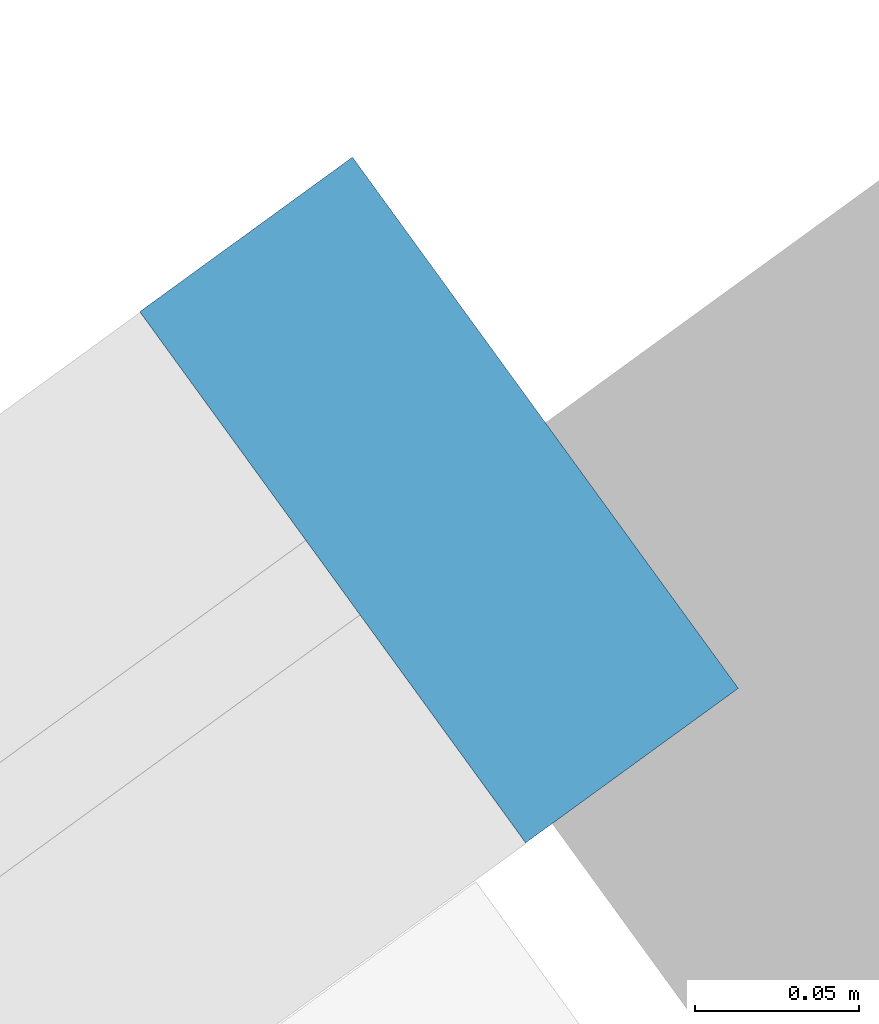
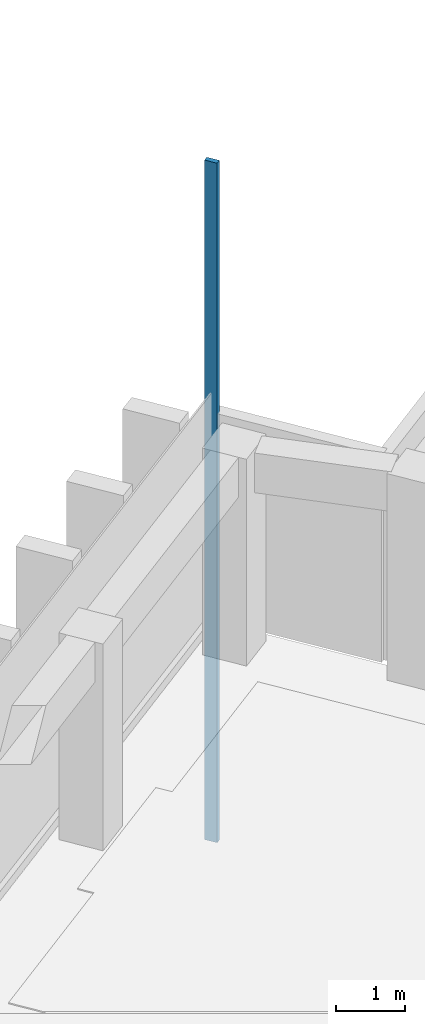
# One storey, part 5 of 14: 1 member, 1 element without a shape of its own.
"""IFC4 building model written with IfcOpenShell, lengths in metres."""

import ifcopenshell
import ifcopenshell.guid

model = None  # the IFC model being written
_history = None  # IfcOwnerHistory: only IFC2X3 demands one
_inside = {}  # id of a spatial element -> (the spatial element, [elements in it])
_under = {}  # id of a project, library or spatial element -> (it, [spatial elements below it])
_declared = {}  # id of a project -> (the project, [libraries it declares])
_typed = {}  # id of a type object -> (the type object, [elements of that type])
_made_of = {}  # id of a material, layer set ... -> (it, [elements and type objects made of it])


def new_model(schema):
    """Start an empty IFC model of exactly this schema.

    Asked for "IFC4X3", IfcOpenShell would pick the latest addendum, in which some entities
    have other attributes; the version numbers below select the first issue.
    IFC2X3 requires an IfcOwnerHistory on every rooted entity: one is made here for all.
    """
    global model, _history
    if schema == "IFC4X3":
        model = ifcopenshell.file(schema_version=(4, 3, 0, 0))
    else:
        model = ifcopenshell.file(schema=schema)
    _inside.clear()
    _under.clear()
    _declared.clear()
    _typed.clear()
    _made_of.clear()
    _history = None
    if model.schema == "IFC2X3":
        org = make("IfcOrganization", Name="unknown")
        user = make(
            "IfcPersonAndOrganization",
            ThePerson=make("IfcPerson", FamilyName="unknown"),
            TheOrganization=org,
        )
        app = make(
            "IfcApplication",
            ApplicationDeveloper=org,
            Version="unknown",
            ApplicationFullName="unknown",
            ApplicationIdentifier="unknown",
        )
        _history = make(
            "IfcOwnerHistory",
            OwningUser=user,
            OwningApplication=app,
            ChangeAction="ADDED",
            CreationDate=0,
        )
    return model


def make(cls, **values):
    """One entity of the class cls with the attributes given. An attribute that is None is left unset."""
    return model.create_entity(
        cls, **{name: value for name, value in values.items() if value is not None}
    )


def rooted(cls, **values):
    """An entity with a GlobalId (a new one), such as an element, a storey or a relation."""
    return make(cls, GlobalId=ifcopenshell.guid.new(), OwnerHistory=_history, **values)


def si_unit(unit_type, name, prefix=None):
    """IfcSIUnit, for example si_unit("LENGTHUNIT", "METRE", prefix="MILLI")."""
    return make("IfcSIUnit", UnitType=unit_type, Prefix=prefix, Name=name)


def assignment(units):
    """IfcUnitAssignment: the units of a project."""
    return None if units is None else make("IfcUnitAssignment", Units=units)


def point(xyz):
    """IfcCartesianPoint."""
    return None if xyz is None else make("IfcCartesianPoint", Coordinates=xyz)


def direction(xyz):
    """IfcDirection."""
    return None if xyz is None else make("IfcDirection", DirectionRatios=xyz)


def frame(location, z_axis=None, x_axis=None):
    """IfcAxis2Placement3D, a coordinate frame: its origin and axes. An axis left out is left unset."""
    return make(
        "IfcAxis2Placement3D",
        Location=point(location),
        Axis=direction(z_axis),
        RefDirection=direction(x_axis),
    )


def frame_2d(location, x_axis=None):
    """IfcAxis2Placement2D, a coordinate frame in the plane: its origin and x axis."""
    return make(
        "IfcAxis2Placement2D", Location=point(location), RefDirection=direction(x_axis)
    )


def origin():
    """The frame at (0, 0, 0) with its axes left unset."""
    return frame((0.0, 0.0, 0.0))


def origin_2d():
    """The frame at (0, 0) in the plane with its x axis left unset."""
    return frame_2d((0.0, 0.0))


def place(relative_to, where):
    """IfcLocalPlacement: puts the frame where relative to a parent placement (None: the world)."""
    return make(
        "IfcLocalPlacement", PlacementRelTo=relative_to, RelativePlacement=where
    )


def context(
    kind, dimensions, precision=None, world=None, true_north=None, identifier=None
):
    """IfcGeometricRepresentationContext, for example the 3D "Model" context."""
    return make(
        "IfcGeometricRepresentationContext",
        ContextIdentifier=identifier,
        ContextType=kind,
        CoordinateSpaceDimension=dimensions,
        Precision=precision,
        WorldCoordinateSystem=world,
        TrueNorth=true_north,
    )


def subcontext(parent, identifier, kind, view, scale=None):
    """IfcGeometricRepresentationSubContext, for example "Body" below "Model"."""
    return make(
        "IfcGeometricRepresentationSubContext",
        ContextIdentifier=identifier,
        ContextType=kind,
        ParentContext=parent,
        TargetScale=scale,
        TargetView=view,
    )


def project(units=None, contexts=None):
    """IfcProject with its units and contexts."""
    return rooted(
        "IfcProject",
        Name="project",
        RepresentationContexts=contexts,
        UnitsInContext=assignment(units),
    )


def spatial(cls, under=None, at=None, **own):
    """A site, building, storey or space (cls), placed at a placement, below another one or the project."""
    s = rooted(cls, ObjectPlacement=at, **own)
    if under is not None:
        _under.setdefault(under.id(), (under, []))[1].append(s)
    return s


def profile(cls, at=None, kind="AREA", **sizes):
    """A parametric profile (cls). Its sizes go by their IFC names, for example OverallWidth=200.0."""
    return make(cls, ProfileType=kind, Position=at, **sizes)


def rectangle(**sizes):
    """IfcRectangleProfileDef."""
    return profile("IfcRectangleProfileDef", **sizes)


def extrude(swept, where, along, depth):
    """IfcExtrudedAreaSolid: the profile swept, set in the frame where, extruded along a direction by depth."""
    return make(
        "IfcExtrudedAreaSolid",
        SweptArea=swept,
        Position=where,
        ExtrudedDirection=direction(along),
        Depth=depth,
    )


def shape(context_of_items, identifier, shape_type, items):
    """IfcShapeRepresentation: the items that make up one representation, for example the "Body"."""
    return make(
        "IfcShapeRepresentation",
        ContextOfItems=context_of_items,
        RepresentationIdentifier=identifier,
        RepresentationType=shape_type,
        Items=items,
    )


def material(Name=None, Category=None):
    """IfcMaterial."""
    return make("IfcMaterial", Name=Name, Category=Category)


def material_profile(
    of_material, cross_section, Name=None, Category=None, Priority=None
):
    """IfcMaterialProfile: a cross section and its material."""
    return make(
        "IfcMaterialProfile",
        Name=Name,
        Material=of_material,
        Profile=cross_section,
        Priority=Priority,
        Category=Category,
    )


def profile_set(profiles, Name=None, composite=None):
    """IfcMaterialProfileSet."""
    return make(
        "IfcMaterialProfileSet",
        Name=Name,
        MaterialProfiles=profiles,
        CompositeProfile=composite,
    )


def made_of(thing, what):
    """Note that an element or type object is made of a material, layer set ...; save() writes the relation."""
    if what is not None:
        _made_of.setdefault(what.id(), (what, []))[1].append(thing)
    return thing


def type_object(cls, material=None, **own):
    """A type object (cls), such as IfcWallType, which elements share."""
    return made_of(rooted(cls, **own), material)


def element(
    cls,
    number,
    at=None,
    inside=None,
    cuts=None,
    type_object=None,
    material=None,
    context=None,
    identifier="Body",
    shape_type=None,
    held_by="IfcProductDefinitionShape",
    body=None,
    shapes=None,
    **own,
):
    """One element of the class cls, such as IfcWall. Its Tag is "e" and its number.

    at: its placement. inside: the storey or other place that contains it. cuts: it is an
    opening in that element (IfcRelVoidsElement). A single representation is given by context,
    identifier, shape_type and body (its items); several are given by shapes. held_by: the class
    of the entity that holds the representations. save() writes the other relations.
    """
    e = rooted(cls, Tag="e%d" % number, ObjectPlacement=at, **own)
    if body is not None:
        shapes = [shape(context, identifier, shape_type, body)]
    if shapes is not None:
        e.Representation = make(held_by, Representations=shapes)
    if inside is not None:
        _inside.setdefault(inside.id(), (inside, []))[1].append(e)
    if cuts is not None:
        rooted(
            "IfcRelVoidsElement", RelatingBuildingElement=cuts, RelatedOpeningElement=e
        )
    if type_object is not None:
        _typed.setdefault(type_object.id(), (type_object, []))[1].append(e)
    return made_of(e, material)


def aggregate(whole, parts):
    """IfcRelAggregates: a whole, such as a stair, and the parts it consists of."""
    return rooted("IfcRelAggregates", RelatingObject=whole, RelatedObjects=parts)


def save(model, path):
    """Write the relations noted so far, then the file.

    IfcRelAggregates (storeys below a building ...), IfcRelContainedInSpatialStructure (elements
    in a storey), IfcRelDefinesByType, IfcRelAssociatesMaterial and IfcRelDeclares: one each for
    every whole, place, type object, material and project.
    """
    for whole, parts in _under.values():
        aggregate(whole, parts)
    for where, things in _inside.values():
        rooted(
            "IfcRelContainedInSpatialStructure",
            RelatedElements=things,
            RelatingStructure=where,
        )
    for kind, things in _typed.values():
        rooted("IfcRelDefinesByType", RelatedObjects=things, RelatingType=kind)
    for what, things in _made_of.values():
        rooted("IfcRelAssociatesMaterial", RelatedObjects=things, RelatingMaterial=what)
    for by, libraries in _declared.values():
        rooted("IfcRelDeclares", RelatingContext=by, RelatedDefinitions=libraries)
    model.write(path)


model = new_model("IFC4")

# Units and contexts
model_context = context("Model", 3, precision=1e-05, world=origin(), true_north=direction((0.0, 1.0)))
body_context = subcontext(model_context, "Body", "Model", "MODEL_VIEW")
ifc_project = project(units=[si_unit("LENGTHUNIT", "METRE"), si_unit("AREAUNIT", "SQUARE_METRE"), si_unit("VOLUMEUNIT", "CUBIC_METRE"), si_unit("PLANEANGLEUNIT", "RADIAN"), si_unit("MASSUNIT", "GRAM", prefix="KILO")], contexts=[model_context])

# Site, building, storey
site_placement = place(None, origin())
site = spatial("IfcSite", under=ifc_project, at=site_placement, CompositionType="ELEMENT")
building_placement = place(site_placement, origin())
building = spatial("IfcBuilding", under=site, at=building_placement, Name="Quipu Civic Tower", CompositionType="ELEMENT")
storey_placement = place(building_placement, frame((0.0, 0.0, 257.0)))
storey = spatial("IfcBuildingStorey", under=building, at=storey_placement, Name="L60", CompositionType="ELEMENT", Elevation=257.0)

# Curtain wall, member
ifc_material_1 = material(Name="Insulated glass unit", Category="glass")
curtain_wall_type = type_object("IfcCurtainWallType", Name="Office curtain wall CW1", PredefinedType="NOTDEFINED", material=ifc_material_1)
curtain_wall_placement = place(storey_placement, origin())
curtain_wall = element("IfcCurtainWall", 1, at=curtain_wall_placement, inside=storey, type_object=curtain_wall_type, Name="Office curtain wall CW1 L59 run 34", PredefinedType="NOTDEFINED")
ifc_material_2 = material(Name="Anodised aluminium", Category="aluminium")
ifc_material_profile = material_profile(ifc_material_2, rectangle(XDim=0.199951171875, YDim=0.080078125, at=origin_2d()), Name="RECT 200x80")
ifc_profile_set = profile_set([ifc_material_profile], Name="Anodised aluminium")
member_type = type_object("IfcMemberType", Name="Mullion CW1", PredefinedType="MULLION", material=ifc_profile_set)
member_placement = place(storey_placement, frame((-28.4111328125, 21.206298828125, -3.919921875), z_axis=(0.0, 0.0, 1.0), x_axis=(0.587787753918, -0.809015176832, 0.0)))
member = element("IfcMember", 2, at=member_placement, type_object=member_type, Name="CW1 mullion 1", PredefinedType="MULLION", context=body_context, shape_type="SweptSolid", body=[
    extrude(rectangle(XDim=0.199951171875, YDim=0.080078125, at=origin_2d()), origin(), (0.0, 0.0, 1.0), 12.0),
])
aggregate(curtain_wall, [member])

save(model, "model.ifc")
